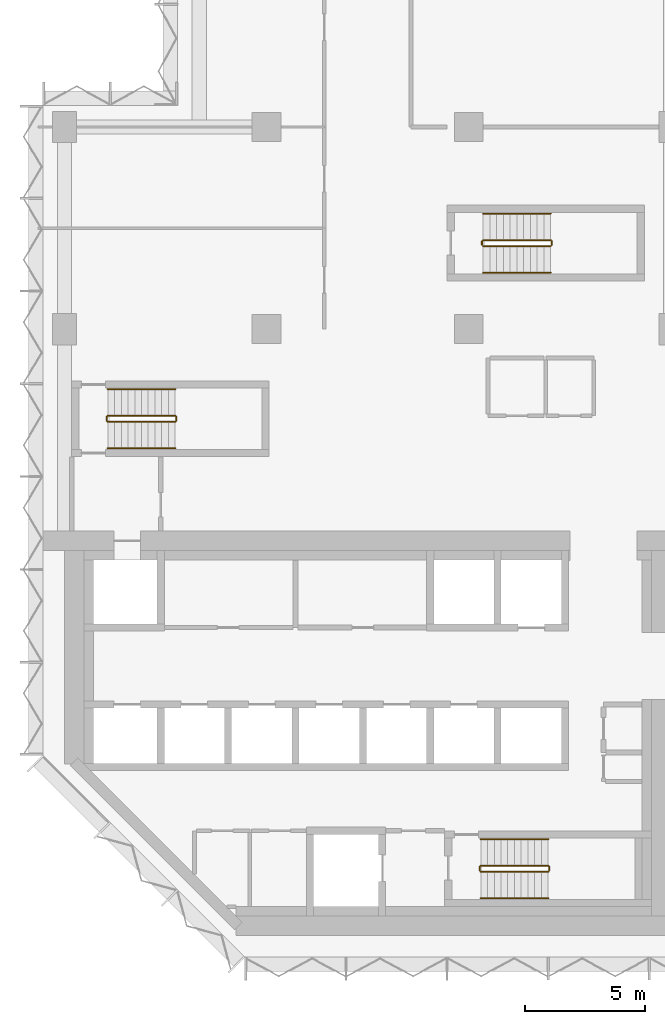
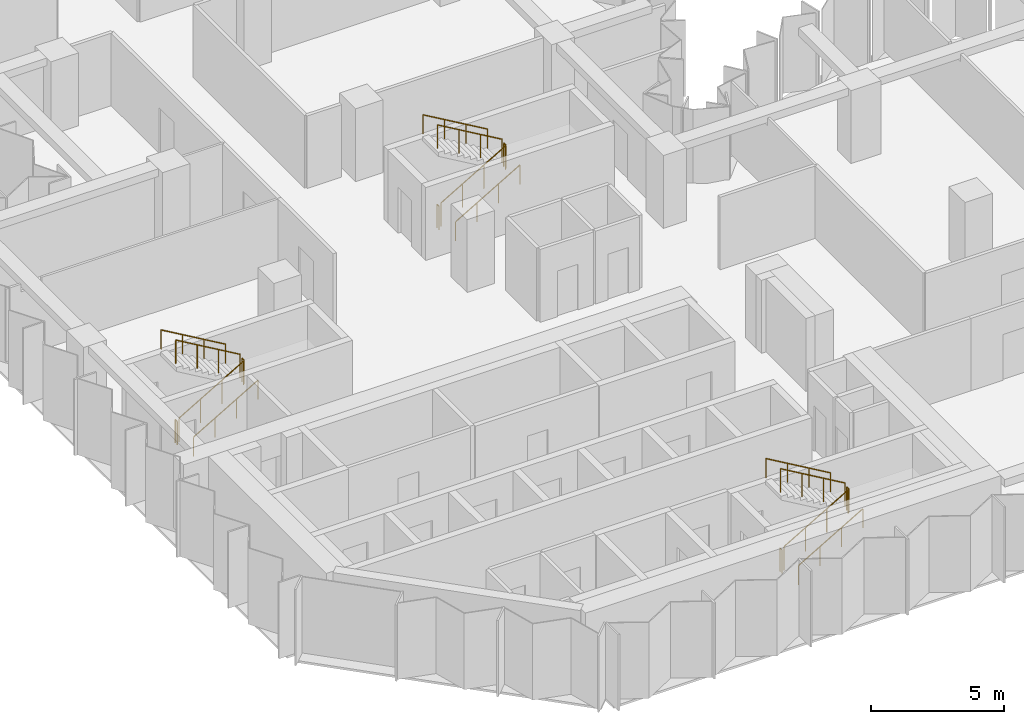
# One storey, part 10 of 11: 18 railings.
"""IFC4 building model written with IfcOpenShell, lengths in metres."""

from ifc_helpers import new_model, si_unit, direction, frame, origin, origin_2d, place, context, subcontext, project, spatial, circle, extrude, material, type_object, element, save


model = new_model("IFC4")

# Units and contexts
model_context = context("Model", 3, precision=1e-05, world=origin(), true_north=direction((0.0, 1.0)))
body_context = subcontext(model_context, "Body", "Model", "MODEL_VIEW")
ifc_project = project(units=[si_unit("LENGTHUNIT", "METRE"), si_unit("AREAUNIT", "SQUARE_METRE"), si_unit("VOLUMEUNIT", "CUBIC_METRE"), si_unit("PLANEANGLEUNIT", "RADIAN"), si_unit("MASSUNIT", "GRAM", prefix="KILO")], contexts=[model_context])

# Site, building, storey
site_placement = place(None, origin())
site = spatial("IfcSite", under=ifc_project, at=site_placement, CompositionType="ELEMENT")
building_placement = place(site_placement, origin())
building = spatial("IfcBuilding", under=site, at=building_placement, Name="Brevane Broadcast Tower", CompositionType="ELEMENT")
storey_placement = place(building_placement, frame((0.0, 0.0, 149.300048828125)))
storey = spatial("IfcBuildingStorey", under=building, at=storey_placement, Name="L37", CompositionType="ELEMENT", Elevation=149.300048828125)

# Railings
ifc_material = material(Name="Steel S355", Category="steel")
railing_type_1 = type_object("IfcRailingType", Name="Exit stair guard", PredefinedType="GUARDRAIL", material=ifc_material)
railing_1_placement = place(storey_placement, frame((1.800048828125, 21.35009765625, 0.16357421875)))
element("IfcRailing", 1, at=railing_1_placement, inside=storey, type_object=railing_type_1, Name="L37 ST-1 stair guard 1", PredefinedType="GUARDRAIL", context=body_context, shape_type="SweptSolid", body=[
    extrude(circle(Radius=0.02392578125, at=origin_2d()), frame((0.0, 0.0, 1.076171875), z_axis=(0.863360870873, 0.0, 0.504586966384), x_axis=(0.0, 1.0, 0.0)), (0.0, 0.0, 1.0), 3.2431640625),
    extrude(circle(Radius=0.02099609375, at=origin_2d()), origin(), (0.0, 0.0, 1.0), 1.052001953125),
    extrude(circle(Radius=0.02099609375, at=origin_2d()), frame((0.933349609375, 0.0, 0.54541015625)), (0.0, 0.0, 1.0), 1.052001953125),
    extrude(circle(Radius=0.02099609375, at=origin_2d()), frame((1.86669921875, 0.0, 1.091064453125)), (0.0, 0.0, 1.0), 1.052001953125),
    extrude(circle(Radius=0.02099609375, at=origin_2d()), frame((2.800048828125, 0.0, 1.636474609375)), (0.0, 0.0, 1.0), 1.052001953125),
])
railing_2_placement = place(storey_placement, frame((4.64990234375, 21.39990234375, 1.800048828125)))
element("IfcRailing", 2, at=railing_2_placement, inside=storey, type_object=railing_type_1, Name="L37 ST-1 stair guard 2", PredefinedType="GUARDRAIL", context=body_context, shape_type="SweptSolid", body=[
    extrude(circle(Radius=0.02392578125, at=origin_2d()), frame((0.0, 0.0, 1.076171875), z_axis=(0.0, 1.0, 0.0), x_axis=(-1.0, 0.0, 0.0)), (0.0, 0.0, 1.0), 0.150146484375),
    extrude(circle(Radius=0.02099609375, at=origin_2d()), origin(), (0.0, 0.0, 1.0), 1.052001953125),
    extrude(circle(Radius=0.02099609375, at=origin_2d()), frame((0.0, 0.150146484375, 0.0)), (0.0, 0.0, 1.0), 1.052001953125),
])
railing_3_placement = place(storey_placement, frame((4.60009765625, 21.60009765625, 1.963623046875)))
element("IfcRailing", 3, at=railing_3_placement, inside=storey, type_object=railing_type_1, Name="L37 ST-1 stair guard 3", PredefinedType="GUARDRAIL", context=body_context, shape_type="SweptSolid", body=[
    extrude(circle(Radius=0.02392578125, at=origin_2d()), frame((0.0, 0.0, 1.076171875), z_axis=(-0.863393664356, 0.0, 0.504530851732), x_axis=(0.0, -1.0, 0.0)), (0.0, 0.0, 1.0), 3.2431640625),
    extrude(circle(Radius=0.02099609375, at=origin_2d()), origin(), (0.0, 0.0, 1.0), 1.052001953125),
    extrude(circle(Radius=0.02099609375, at=origin_2d()), frame((-0.933349609375, 0.0, 0.54541015625)), (0.0, 0.0, 1.0), 1.052001953125),
    extrude(circle(Radius=0.02099609375, at=origin_2d()), frame((-1.86669921875, 0.0, 1.0908203125)), (0.0, 0.0, 1.0), 1.052001953125),
    extrude(circle(Radius=0.02099609375, at=origin_2d()), frame((-2.800048828125, 0.0, 1.63623046875)), (0.0, 0.0, 1.0), 1.052001953125),
])
railing_4_placement = place(storey_placement, frame((1.75, 21.39990234375, 0.0)))
element("IfcRailing", 4, at=railing_4_placement, inside=storey, type_object=railing_type_1, Name="L37 ST-1 stair guard 4", PredefinedType="GUARDRAIL", context=body_context, shape_type="SweptSolid", body=[
    extrude(circle(Radius=0.02392578125, at=origin_2d()), frame((0.0, 0.0, 1.076171875), z_axis=(0.0, 1.0, 0.0), x_axis=(-1.0, 0.0, 0.0)), (0.0, 0.0, 1.0), 0.150146484375),
    extrude(circle(Radius=0.02099609375, at=origin_2d()), origin(), (0.0, 0.0, 1.0), 1.052001953125),
    extrude(circle(Radius=0.02099609375, at=origin_2d()), frame((0.0, 0.150146484375, 0.0)), (0.0, 0.0, 1.0), 1.052001953125),
])
railing_5_placement = place(storey_placement, frame((17.300048828125, 2.64990234375, 0.16357421875)))
element("IfcRailing", 5, at=railing_5_placement, inside=storey, type_object=railing_type_1, Name="L37 ST-2 stair guard 1", PredefinedType="GUARDRAIL", context=body_context, shape_type="SweptSolid", body=[
    extrude(circle(Radius=0.02392578125, at=origin_2d()), frame((0.0, 0.0, 1.076171875), z_axis=(0.863360870873, 0.0, 0.504586966384), x_axis=(0.0, 1.0, 0.0)), (0.0, 0.0, 1.0), 3.2431640625),
    extrude(circle(Radius=0.02099609375, at=origin_2d()), origin(), (0.0, 0.0, 1.0), 1.052001953125),
    extrude(circle(Radius=0.02099609375, at=origin_2d()), frame((0.933349609375, 0.0, 0.54541015625)), (0.0, 0.0, 1.0), 1.052001953125),
    extrude(circle(Radius=0.02099609375, at=origin_2d()), frame((1.86669921875, 0.0, 1.091064453125)), (0.0, 0.0, 1.0), 1.052001953125),
    extrude(circle(Radius=0.02099609375, at=origin_2d()), frame((2.800048828125, 0.0, 1.636474609375)), (0.0, 0.0, 1.0), 1.052001953125),
])
railing_6_placement = place(storey_placement, frame((20.14990234375, 2.699951171875, 1.800048828125)))
element("IfcRailing", 6, at=railing_6_placement, inside=storey, type_object=railing_type_1, Name="L37 ST-2 stair guard 2", PredefinedType="GUARDRAIL", context=body_context, shape_type="SweptSolid", body=[
    extrude(circle(Radius=0.02392578125, at=origin_2d()), frame((0.0, 0.0, 1.076171875), z_axis=(0.0, 1.0, 0.0), x_axis=(-1.0, 0.0, 0.0)), (0.0, 0.0, 1.0), 0.150146484375),
    extrude(circle(Radius=0.02099609375, at=origin_2d()), origin(), (0.0, 0.0, 1.0), 1.052001953125),
    extrude(circle(Radius=0.02099609375, at=origin_2d()), frame((0.0, 0.150146484375, 0.0)), (0.0, 0.0, 1.0), 1.052001953125),
])
railing_7_placement = place(storey_placement, frame((20.10009765625, 2.89990234375, 1.963623046875)))
element("IfcRailing", 7, at=railing_7_placement, inside=storey, type_object=railing_type_1, Name="L37 ST-2 stair guard 3", PredefinedType="GUARDRAIL", context=body_context, shape_type="SweptSolid", body=[
    extrude(circle(Radius=0.02392578125, at=origin_2d()), frame((0.0, 0.0, 1.076171875), z_axis=(-0.863393664356, 0.0, 0.504530851732), x_axis=(0.0, -1.0, 0.0)), (0.0, 0.0, 1.0), 3.2431640625),
    extrude(circle(Radius=0.02099609375, at=origin_2d()), origin(), (0.0, 0.0, 1.0), 1.052001953125),
    extrude(circle(Radius=0.02099609375, at=origin_2d()), frame((-0.933349609375, 0.0, 0.54541015625)), (0.0, 0.0, 1.0), 1.052001953125),
    extrude(circle(Radius=0.02099609375, at=origin_2d()), frame((-1.86669921875, 0.0, 1.0908203125)), (0.0, 0.0, 1.0), 1.052001953125),
    extrude(circle(Radius=0.02099609375, at=origin_2d()), frame((-2.800048828125, 0.0, 1.63623046875)), (0.0, 0.0, 1.0), 1.052001953125),
])
railing_8_placement = place(storey_placement, frame((17.25, 2.699951171875, 0.0)))
element("IfcRailing", 8, at=railing_8_placement, inside=storey, type_object=railing_type_1, Name="L37 ST-2 stair guard 4", PredefinedType="GUARDRAIL", context=body_context, shape_type="SweptSolid", body=[
    extrude(circle(Radius=0.02392578125, at=origin_2d()), frame((0.0, 0.0, 1.076171875), z_axis=(0.0, 1.0, 0.0), x_axis=(-1.0, 0.0, 0.0)), (0.0, 0.0, 1.0), 0.150146484375),
    extrude(circle(Radius=0.02099609375, at=origin_2d()), origin(), (0.0, 0.0, 1.0), 1.052001953125),
    extrude(circle(Radius=0.02099609375, at=origin_2d()), frame((0.0, 0.150146484375, 0.0)), (0.0, 0.0, 1.0), 1.052001953125),
])
railing_9_placement = place(storey_placement, frame((17.39990234375, 28.64990234375, 0.16357421875)))
element("IfcRailing", 9, at=railing_9_placement, inside=storey, type_object=railing_type_1, Name="L37 ST-3 stair guard 1", PredefinedType="GUARDRAIL", context=body_context, shape_type="SweptSolid", body=[
    extrude(circle(Radius=0.02392578125, at=origin_2d()), frame((0.0, 0.0, 1.076171875), z_axis=(0.863360870873, 0.0, 0.504586966384), x_axis=(0.0, 1.0, 0.0)), (0.0, 0.0, 1.0), 3.2431640625),
    extrude(circle(Radius=0.02099609375, at=origin_2d()), origin(), (0.0, 0.0, 1.0), 1.052001953125),
    extrude(circle(Radius=0.02099609375, at=origin_2d()), frame((0.933349609375, 0.0, 0.54541015625)), (0.0, 0.0, 1.0), 1.052001953125),
    extrude(circle(Radius=0.02099609375, at=origin_2d()), frame((1.86669921875, 0.0, 1.091064453125)), (0.0, 0.0, 1.0), 1.052001953125),
    extrude(circle(Radius=0.02099609375, at=origin_2d()), frame((2.800048828125, 0.0, 1.636474609375)), (0.0, 0.0, 1.0), 1.052001953125),
])
railing_10_placement = place(storey_placement, frame((20.25, 28.699951171875, 1.800048828125)))
element("IfcRailing", 10, at=railing_10_placement, inside=storey, type_object=railing_type_1, Name="L37 ST-3 stair guard 2", PredefinedType="GUARDRAIL", context=body_context, shape_type="SweptSolid", body=[
    extrude(circle(Radius=0.02392578125, at=origin_2d()), frame((0.0, 0.0, 1.076171875), z_axis=(0.0, 1.0, 0.0), x_axis=(-1.0, 0.0, 0.0)), (0.0, 0.0, 1.0), 0.150146484375),
    extrude(circle(Radius=0.02099609375, at=origin_2d()), origin(), (0.0, 0.0, 1.0), 1.052001953125),
    extrude(circle(Radius=0.02099609375, at=origin_2d()), frame((0.0, 0.150146484375, 0.0)), (0.0, 0.0, 1.0), 1.052001953125),
])
railing_11_placement = place(storey_placement, frame((20.199951171875, 28.89990234375, 1.963623046875)))
element("IfcRailing", 11, at=railing_11_placement, inside=storey, type_object=railing_type_1, Name="L37 ST-3 stair guard 3", PredefinedType="GUARDRAIL", context=body_context, shape_type="SweptSolid", body=[
    extrude(circle(Radius=0.02392578125, at=origin_2d()), frame((0.0, 0.0, 1.076171875), z_axis=(-0.863393664356, 0.0, 0.504530851732), x_axis=(0.0, -1.0, 0.0)), (0.0, 0.0, 1.0), 3.2431640625),
    extrude(circle(Radius=0.02099609375, at=origin_2d()), origin(), (0.0, 0.0, 1.0), 1.052001953125),
    extrude(circle(Radius=0.02099609375, at=origin_2d()), frame((-0.933349609375, 0.0, 0.54541015625)), (0.0, 0.0, 1.0), 1.052001953125),
    extrude(circle(Radius=0.02099609375, at=origin_2d()), frame((-1.86669921875, 0.0, 1.0908203125)), (0.0, 0.0, 1.0), 1.052001953125),
    extrude(circle(Radius=0.02099609375, at=origin_2d()), frame((-2.800048828125, 0.0, 1.63623046875)), (0.0, 0.0, 1.0), 1.052001953125),
])
railing_12_placement = place(storey_placement, frame((17.35009765625, 28.699951171875, 0.0)))
element("IfcRailing", 12, at=railing_12_placement, inside=storey, type_object=railing_type_1, Name="L37 ST-3 stair guard 4", PredefinedType="GUARDRAIL", context=body_context, shape_type="SweptSolid", body=[
    extrude(circle(Radius=0.02392578125, at=origin_2d()), frame((0.0, 0.0, 1.076171875), z_axis=(0.0, 1.0, 0.0), x_axis=(-1.0, 0.0, 0.0)), (0.0, 0.0, 1.0), 0.150146484375),
    extrude(circle(Radius=0.02099609375, at=origin_2d()), origin(), (0.0, 0.0, 1.0), 1.052001953125),
    extrude(circle(Radius=0.02099609375, at=origin_2d()), frame((0.0, 0.150146484375, 0.0)), (0.0, 0.0, 1.0), 1.052001953125),
])
railing_type_2 = type_object("IfcRailingType", Name="Exit stair handrail", PredefinedType="HANDRAIL", material=ifc_material)
railing_13_placement = place(storey_placement, frame((1.800048828125, 20.25, 0.16357421875)))
element("IfcRailing", 13, at=railing_13_placement, inside=storey, type_object=railing_type_2, Name="L37 ST-1 stair handrail 1", PredefinedType="HANDRAIL", context=body_context, shape_type="SweptSolid", body=[
    extrude(circle(Radius=0.02392578125, at=origin_2d()), frame((0.0, 0.0, 0.8759765625), z_axis=(0.863360870873, 0.0, 0.504586966384), x_axis=(0.0, 1.0, 0.0)), (0.0, 0.0, 1.0), 3.2431640625),
    extrude(circle(Radius=0.02099609375, at=origin_2d()), origin(), (0.0, 0.0, 1.0), 0.851806640625),
    extrude(circle(Radius=0.02099609375, at=origin_2d()), frame((0.933349609375, 0.0, 0.54541015625)), (0.0, 0.0, 1.0), 0.851806640625),
    extrude(circle(Radius=0.02099609375, at=origin_2d()), frame((1.86669921875, 0.0, 1.091064453125)), (0.0, 0.0, 1.0), 0.851806640625),
    extrude(circle(Radius=0.02099609375, at=origin_2d()), frame((2.800048828125, 0.0, 1.636474609375)), (0.0, 0.0, 1.0), 0.851806640625),
])
railing_14_placement = place(storey_placement, frame((4.60009765625, 22.699951171875, 1.963623046875)))
element("IfcRailing", 14, at=railing_14_placement, inside=storey, type_object=railing_type_2, Name="L37 ST-1 stair handrail 2", PredefinedType="HANDRAIL", context=body_context, shape_type="SweptSolid", body=[
    extrude(circle(Radius=0.02392578125, at=origin_2d()), frame((0.0, 0.0, 0.8759765625), z_axis=(-0.863393664356, 0.0, 0.504530851732), x_axis=(0.0, -1.0, 0.0)), (0.0, 0.0, 1.0), 3.2431640625),
    extrude(circle(Radius=0.02099609375, at=origin_2d()), origin(), (0.0, 0.0, 1.0), 0.851806640625),
    extrude(circle(Radius=0.02099609375, at=origin_2d()), frame((-0.933349609375, 0.0, 0.54541015625)), (0.0, 0.0, 1.0), 0.851806640625),
    extrude(circle(Radius=0.02099609375, at=origin_2d()), frame((-1.86669921875, 0.0, 1.0908203125)), (0.0, 0.0, 1.0), 0.851806640625),
    extrude(circle(Radius=0.02099609375, at=origin_2d()), frame((-2.800048828125, 0.0, 1.63623046875)), (0.0, 0.0, 1.0), 0.851806640625),
])
railing_15_placement = place(storey_placement, frame((17.300048828125, 1.550048828125, 0.16357421875)))
element("IfcRailing", 15, at=railing_15_placement, inside=storey, type_object=railing_type_2, Name="L37 ST-2 stair handrail 1", PredefinedType="HANDRAIL", context=body_context, shape_type="SweptSolid", body=[
    extrude(circle(Radius=0.02392578125, at=origin_2d()), frame((0.0, 0.0, 0.8759765625), z_axis=(0.863360870873, 0.0, 0.504586966384), x_axis=(0.0, 1.0, 0.0)), (0.0, 0.0, 1.0), 3.2431640625),
    extrude(circle(Radius=0.02099609375, at=origin_2d()), origin(), (0.0, 0.0, 1.0), 0.851806640625),
    extrude(circle(Radius=0.02099609375, at=origin_2d()), frame((0.933349609375, 0.0, 0.54541015625)), (0.0, 0.0, 1.0), 0.851806640625),
    extrude(circle(Radius=0.02099609375, at=origin_2d()), frame((1.86669921875, 0.0, 1.091064453125)), (0.0, 0.0, 1.0), 0.851806640625),
    extrude(circle(Radius=0.02099609375, at=origin_2d()), frame((2.800048828125, 0.0, 1.636474609375)), (0.0, 0.0, 1.0), 0.851806640625),
])
railing_16_placement = place(storey_placement, frame((20.10009765625, 4.0, 1.963623046875)))
element("IfcRailing", 16, at=railing_16_placement, inside=storey, type_object=railing_type_2, Name="L37 ST-2 stair handrail 2", PredefinedType="HANDRAIL", context=body_context, shape_type="SweptSolid", body=[
    extrude(circle(Radius=0.02392578125, at=origin_2d()), frame((0.0, 0.0, 0.8759765625), z_axis=(-0.863393664356, 0.0, 0.504530851732), x_axis=(0.0, -1.0, 0.0)), (0.0, 0.0, 1.0), 3.2431640625),
    extrude(circle(Radius=0.02099609375, at=origin_2d()), origin(), (0.0, 0.0, 1.0), 0.851806640625),
    extrude(circle(Radius=0.02099609375, at=origin_2d()), frame((-0.933349609375, 0.0, 0.54541015625)), (0.0, 0.0, 1.0), 0.851806640625),
    extrude(circle(Radius=0.02099609375, at=origin_2d()), frame((-1.86669921875, 0.0, 1.0908203125)), (0.0, 0.0, 1.0), 0.851806640625),
    extrude(circle(Radius=0.02099609375, at=origin_2d()), frame((-2.800048828125, 0.0, 1.63623046875)), (0.0, 0.0, 1.0), 0.851806640625),
])
railing_17_placement = place(storey_placement, frame((17.39990234375, 27.550048828125, 0.16357421875)))
element("IfcRailing", 17, at=railing_17_placement, inside=storey, type_object=railing_type_2, Name="L37 ST-3 stair handrail 1", PredefinedType="HANDRAIL", context=body_context, shape_type="SweptSolid", body=[
    extrude(circle(Radius=0.02392578125, at=origin_2d()), frame((0.0, 0.0, 0.8759765625), z_axis=(0.863360870873, 0.0, 0.504586966384), x_axis=(0.0, 1.0, 0.0)), (0.0, 0.0, 1.0), 3.2431640625),
    extrude(circle(Radius=0.02099609375, at=origin_2d()), origin(), (0.0, 0.0, 1.0), 0.851806640625),
    extrude(circle(Radius=0.02099609375, at=origin_2d()), frame((0.933349609375, 0.0, 0.54541015625)), (0.0, 0.0, 1.0), 0.851806640625),
    extrude(circle(Radius=0.02099609375, at=origin_2d()), frame((1.86669921875, 0.0, 1.091064453125)), (0.0, 0.0, 1.0), 0.851806640625),
    extrude(circle(Radius=0.02099609375, at=origin_2d()), frame((2.800048828125, 0.0, 1.636474609375)), (0.0, 0.0, 1.0), 0.851806640625),
])
railing_18_placement = place(storey_placement, frame((20.199951171875, 30.0, 1.963623046875)))
element("IfcRailing", 18, at=railing_18_placement, inside=storey, type_object=railing_type_2, Name="L37 ST-3 stair handrail 2", PredefinedType="HANDRAIL", context=body_context, shape_type="SweptSolid", body=[
    extrude(circle(Radius=0.02392578125, at=origin_2d()), frame((0.0, 0.0, 0.8759765625), z_axis=(-0.863393664356, 0.0, 0.504530851732), x_axis=(0.0, -1.0, 0.0)), (0.0, 0.0, 1.0), 3.2431640625),
    extrude(circle(Radius=0.02099609375, at=origin_2d()), origin(), (0.0, 0.0, 1.0), 0.851806640625),
    extrude(circle(Radius=0.02099609375, at=origin_2d()), frame((-0.933349609375, 0.0, 0.54541015625)), (0.0, 0.0, 1.0), 0.851806640625),
    extrude(circle(Radius=0.02099609375, at=origin_2d()), frame((-1.86669921875, 0.0, 1.0908203125)), (0.0, 0.0, 1.0), 0.851806640625),
    extrude(circle(Radius=0.02099609375, at=origin_2d()), frame((-2.800048828125, 0.0, 1.63623046875)), (0.0, 0.0, 1.0), 0.851806640625),
])

save(model, "model.ifc")
